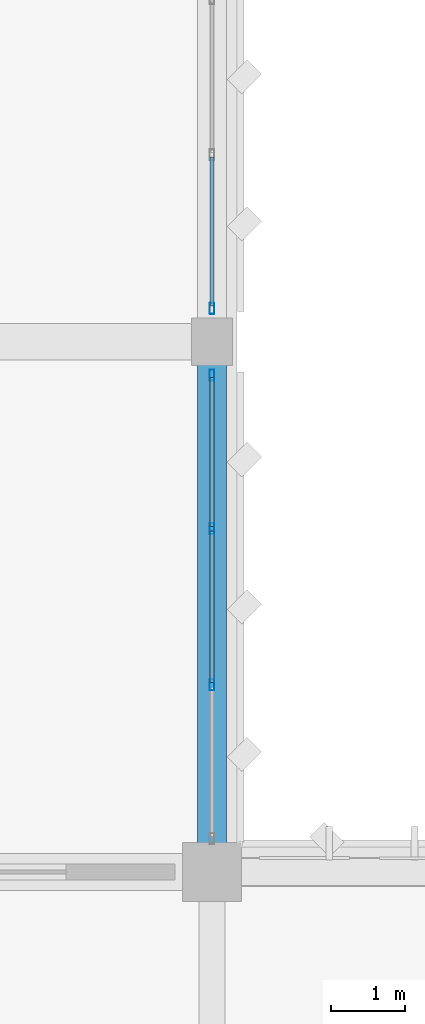
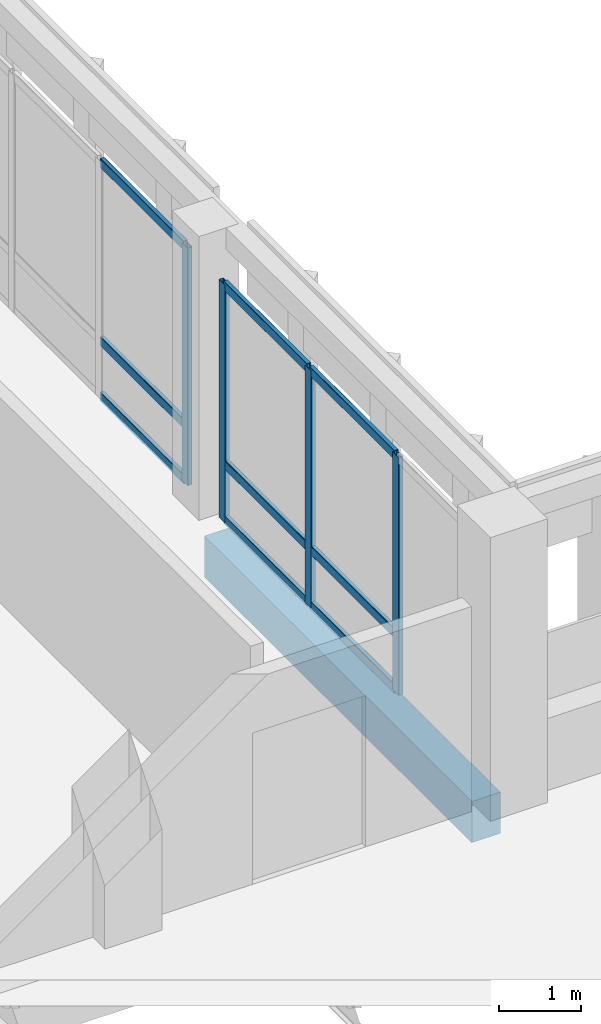
# One storey, part 13 of 158: 13 members, 1 beam, 2 elements without a shape of their own.
"""IFC4 building model written with IfcOpenShell, lengths in metres."""

from ifc_helpers import new_model, si_unit, direction, frame, origin, origin_2d, place, context, subcontext, project, spatial, rectangle, hollow_rectangle, extrude, material, material_profile, profile_set, type_object, element, aggregate, save


model = new_model("IFC4")

# Units and contexts
model_context = context("Model", 3, precision=1e-05, world=origin(), true_north=direction((0.0, 1.0)))
body_context = subcontext(model_context, "Body", "Model", "MODEL_VIEW")
ifc_project = project(units=[si_unit("LENGTHUNIT", "METRE"), si_unit("AREAUNIT", "SQUARE_METRE"), si_unit("VOLUMEUNIT", "CUBIC_METRE"), si_unit("PLANEANGLEUNIT", "RADIAN"), si_unit("MASSUNIT", "GRAM", prefix="KILO")], contexts=[model_context])

# Site, building, storey
site_placement = place(None, origin())
site = spatial("IfcSite", under=ifc_project, at=site_placement, CompositionType="ELEMENT")
building_placement = place(site_placement, origin())
building = spatial("IfcBuilding", under=site, at=building_placement, Name="Lusvemor Sports Hall", CompositionType="ELEMENT")
storey_placement = place(building_placement, frame((0.0, 0.0, 10.800048828125)))
storey = spatial("IfcBuildingStorey", under=building, at=storey_placement, Name="L02", CompositionType="ELEMENT", Elevation=10.800048828125)

# Curtain wall, members
ifc_material_1 = material(Name="Thermally broken bronze-anodized aluminium", Category="aluminium")
curtain_wall_type = type_object("IfcCurtainWallType", Name="CW_WING_B", PredefinedType="NOTDEFINED", material=ifc_material_1)
curtain_wall_1_placement = place(storey_placement, origin())
curtain_wall_1 = element("IfcCurtainWall", 1, at=curtain_wall_1_placement, inside=storey, type_object=curtain_wall_type, Name="Curtain Wall CW-L02-E-5-0", PredefinedType="NOTDEFINED")
ifc_material_2 = material(Name="Thermally broken bronze-anodized aluminium", Category="aluminium")
ifc_material_profile_1 = material_profile(ifc_material_2, hollow_rectangle(XDim=0.06494140625, YDim=0.14990234375, WallThickness=0.00390625, InnerFilletRadius=0.00390625, OuterFilletRadius=0.008056640625, at=origin_2d()), Name="CWMUL150x65x4")
ifc_profile_set_1 = profile_set([ifc_material_profile_1], Name="Thermally broken bronze-anodized aluminium")
member_type_1 = type_object("IfcMemberType", Name="CW_MUL_B", PredefinedType="MULLION", material=ifc_profile_set_1)
member_1_placement = place(storey_placement, frame((21.60009765625, 53.547607421875, 0.0), z_axis=(0.0, 0.0, 1.0), x_axis=(1.0, 0.0, 0.0)))
member_1 = element("IfcMember", 2, at=member_1_placement, type_object=member_type_1, Name="CW02 mullion 1", PredefinedType="MULLION", context=body_context, shape_type="SweptSolid", body=[
    extrude(hollow_rectangle(XDim=0.06494140625, YDim=0.14990234375, WallThickness=0.00390625, InnerFilletRadius=0.00390625, OuterFilletRadius=0.008056640625, at=origin_2d()), origin(), (0.0, 0.0, 1.0), 3.52001953125),
])
member_2_placement = place(storey_placement, frame((21.60009765625, 51.4599609375, 0.0), z_axis=(0.0, 0.0, 1.0), x_axis=(1.0, 0.0, 0.0)))
member_2 = element("IfcMember", 3, at=member_2_placement, type_object=member_type_1, Name="CW02 mullion 2", PredefinedType="MULLION", context=body_context, shape_type="SweptSolid", body=[
    extrude(hollow_rectangle(XDim=0.06494140625, YDim=0.14990234375, WallThickness=0.00390625, InnerFilletRadius=0.00390625, OuterFilletRadius=0.008056640625, at=origin_2d()), origin(), (0.0, 0.0, 1.0), 3.52001953125),
])
member_3_placement = place(storey_placement, frame((21.60009765625, 49.340087890625, 0.0), z_axis=(0.0, 0.0, 1.0), x_axis=(1.0, 0.0, 0.0)))
member_3 = element("IfcMember", 4, at=member_3_placement, type_object=member_type_1, Name="CW02 mullion 3", PredefinedType="MULLION", context=body_context, shape_type="SweptSolid", body=[
    extrude(hollow_rectangle(XDim=0.06494140625, YDim=0.14990234375, WallThickness=0.00390625, InnerFilletRadius=0.00390625, OuterFilletRadius=0.008056640625, at=origin_2d()), origin(), (0.0, 0.0, 1.0), 3.52001953125),
])

# Curtain wall, member
curtain_wall_2_placement = place(storey_placement, origin())
curtain_wall_2 = element("IfcCurtainWall", 5, at=curtain_wall_2_placement, inside=storey, type_object=curtain_wall_type, Name="Curtain Wall CW-L02-E-5-1", PredefinedType="NOTDEFINED")
member_4_placement = place(storey_placement, frame((21.60009765625, 54.452392578125, 0.0), z_axis=(0.0, 0.0, 1.0), x_axis=(1.0, 0.0, 0.0)))
member_4 = element("IfcMember", 6, at=member_4_placement, type_object=member_type_1, Name="CW02 mullion 4", PredefinedType="MULLION", context=body_context, shape_type="SweptSolid", body=[
    extrude(hollow_rectangle(XDim=0.06494140625, YDim=0.14990234375, WallThickness=0.00390625, InnerFilletRadius=0.00390625, OuterFilletRadius=0.008056640625, at=origin_2d()), origin(), (0.0, 0.0, 1.0), 3.52001953125),
])

# Member
ifc_material_3 = material(Name="Thermally broken bronze-anodized aluminium", Category="aluminium")
ifc_material_profile_2 = material_profile(ifc_material_3, hollow_rectangle(XDim=0.06005859375, YDim=0.135009765625, WallThickness=0.00390625, InnerFilletRadius=0.00390625, OuterFilletRadius=0.008056640625, at=origin_2d()), Name="CWTRN135x60x4")
ifc_profile_set_2 = profile_set([ifc_material_profile_2], Name="Thermally broken bronze-anodized aluminium")
member_type_2 = type_object("IfcMemberType", Name="CW_TRN_B", PredefinedType="USERDEFINED", material=ifc_profile_set_2)
member_5_placement = place(storey_placement, frame((21.60009765625, 53.514892578125, 0.030029296875), z_axis=(0.0, -1.0, 0.0), x_axis=(1.0, 0.0, 0.0)))
member_5 = element("IfcMember", 7, at=member_5_placement, type_object=member_type_2, Name="CW02 transom 1.1", ObjectType="TRANSOM", PredefinedType="USERDEFINED", context=body_context, shape_type="SweptSolid", body=[
    extrude(hollow_rectangle(XDim=0.06005859375, YDim=0.135009765625, WallThickness=0.00390625, InnerFilletRadius=0.00390625, OuterFilletRadius=0.008056640625, at=origin_2d()), origin(), (0.0, 0.0, 1.0), 2.0224609375),
])

member_6_placement = place(storey_placement, frame((21.60009765625, 53.514892578125, 0.849853515625), z_axis=(0.0, -1.0, 0.0), x_axis=(1.0, 0.0, 0.0)))
member_6 = element("IfcMember", 8, at=member_6_placement, type_object=member_type_2, Name="CW02 transom 1.2", ObjectType="TRANSOM", PredefinedType="USERDEFINED", context=body_context, shape_type="SweptSolid", body=[
    extrude(hollow_rectangle(XDim=0.06005859375, YDim=0.135009765625, WallThickness=0.00390625, InnerFilletRadius=0.00390625, OuterFilletRadius=0.008056640625, at=origin_2d()), origin(), (0.0, 0.0, 1.0), 2.0224609375),
])

member_7_placement = place(storey_placement, frame((21.60009765625, 53.514892578125, 3.489990234375), z_axis=(0.0, -1.0, 0.0), x_axis=(1.0, 0.0, 0.0)))
member_7 = element("IfcMember", 9, at=member_7_placement, type_object=member_type_2, Name="CW02 transom 1.3", ObjectType="TRANSOM", PredefinedType="USERDEFINED", context=body_context, shape_type="SweptSolid", body=[
    extrude(hollow_rectangle(XDim=0.06005859375, YDim=0.135009765625, WallThickness=0.00390625, InnerFilletRadius=0.00390625, OuterFilletRadius=0.008056640625, at=origin_2d()), origin(), (0.0, 0.0, 1.0), 2.0224609375),
])

member_8_placement = place(storey_placement, frame((21.60009765625, 51.427490234375, 0.030029296875), z_axis=(0.0, -1.0, 0.0), x_axis=(1.0, 0.0, 0.0)))
member_8 = element("IfcMember", 10, at=member_8_placement, type_object=member_type_2, Name="CW02 transom 2.1", ObjectType="TRANSOM", PredefinedType="USERDEFINED", context=body_context, shape_type="SweptSolid", body=[
    extrude(hollow_rectangle(XDim=0.06005859375, YDim=0.135009765625, WallThickness=0.00390625, InnerFilletRadius=0.00390625, OuterFilletRadius=0.008056640625, at=origin_2d()), origin(), (0.0, 0.0, 1.0), 2.054931640625),
])

member_9_placement = place(storey_placement, frame((21.60009765625, 51.427490234375, 0.849853515625), z_axis=(0.0, -1.0, 0.0), x_axis=(1.0, 0.0, 0.0)))
member_9 = element("IfcMember", 11, at=member_9_placement, type_object=member_type_2, Name="CW02 transom 2.2", ObjectType="TRANSOM", PredefinedType="USERDEFINED", context=body_context, shape_type="SweptSolid", body=[
    extrude(hollow_rectangle(XDim=0.06005859375, YDim=0.135009765625, WallThickness=0.00390625, InnerFilletRadius=0.00390625, OuterFilletRadius=0.008056640625, at=origin_2d()), origin(), (0.0, 0.0, 1.0), 2.054931640625),
])

member_10_placement = place(storey_placement, frame((21.60009765625, 51.427490234375, 3.489990234375), z_axis=(0.0, -1.0, 0.0), x_axis=(1.0, 0.0, 0.0)))
member_10 = element("IfcMember", 12, at=member_10_placement, type_object=member_type_2, Name="CW02 transom 2.3", ObjectType="TRANSOM", PredefinedType="USERDEFINED", context=body_context, shape_type="SweptSolid", body=[
    extrude(hollow_rectangle(XDim=0.06005859375, YDim=0.135009765625, WallThickness=0.00390625, InnerFilletRadius=0.00390625, OuterFilletRadius=0.008056640625, at=origin_2d()), origin(), (0.0, 0.0, 1.0), 2.054931640625),
])

aggregate(curtain_wall_1, [member_1, member_2, member_3, member_5, member_6, member_7, member_8, member_9, member_10])

member_11_placement = place(storey_placement, frame((21.60009765625, 56.507568359375, 0.030029296875), z_axis=(0.0, -1.0, 0.0), x_axis=(1.0, 0.0, 0.0)))
member_11 = element("IfcMember", 13, at=member_11_placement, type_object=member_type_2, Name="CW02 transom 3.1", ObjectType="TRANSOM", PredefinedType="USERDEFINED", context=body_context, shape_type="SweptSolid", body=[
    extrude(hollow_rectangle(XDim=0.06005859375, YDim=0.135009765625, WallThickness=0.00390625, InnerFilletRadius=0.00390625, OuterFilletRadius=0.008056640625, at=origin_2d()), origin(), (0.0, 0.0, 1.0), 2.0224609375),
])

member_12_placement = place(storey_placement, frame((21.60009765625, 56.507568359375, 0.849853515625), z_axis=(0.0, -1.0, 0.0), x_axis=(1.0, 0.0, 0.0)))
member_12 = element("IfcMember", 14, at=member_12_placement, type_object=member_type_2, Name="CW02 transom 3.2", ObjectType="TRANSOM", PredefinedType="USERDEFINED", context=body_context, shape_type="SweptSolid", body=[
    extrude(hollow_rectangle(XDim=0.06005859375, YDim=0.135009765625, WallThickness=0.00390625, InnerFilletRadius=0.00390625, OuterFilletRadius=0.008056640625, at=origin_2d()), origin(), (0.0, 0.0, 1.0), 2.0224609375),
])

member_13_placement = place(storey_placement, frame((21.60009765625, 56.507568359375, 3.489990234375), z_axis=(0.0, -1.0, 0.0), x_axis=(1.0, 0.0, 0.0)))
member_13 = element("IfcMember", 15, at=member_13_placement, type_object=member_type_2, Name="CW02 transom 3.3", ObjectType="TRANSOM", PredefinedType="USERDEFINED", context=body_context, shape_type="SweptSolid", body=[
    extrude(hollow_rectangle(XDim=0.06005859375, YDim=0.135009765625, WallThickness=0.00390625, InnerFilletRadius=0.00390625, OuterFilletRadius=0.008056640625, at=origin_2d()), origin(), (0.0, 0.0, 1.0), 2.0224609375),
])

aggregate(curtain_wall_2, [member_4, member_11, member_12, member_13])

# Beam
ifc_material_4 = material(Name="Concrete C40/50", Category="concrete")
ifc_material_profile_3 = material_profile(ifc_material_4, rectangle(XDim=0.39990234375, YDim=0.610107421875, at=origin_2d()), Name="RC400x610")
ifc_profile_set_3 = profile_set([ifc_material_profile_3], Name="Concrete C40/50")
beam_type = type_object("IfcBeamType", Name="SPAND_EXT_650", PredefinedType="SPANDREL", material=ifc_profile_set_3)
beam_placement = place(storey_placement, frame((21.60009765625, 47.196044921875, -0.56494140625), z_axis=(0.0, 1.0, 0.0), x_axis=(-1.0, 0.0, 0.0)))
element("IfcBeam", 16, at=beam_placement, inside=storey, type_object=beam_type, Name="Beam L02 3:F-G", PredefinedType="SPANDREL", context=body_context, shape_type="SweptSolid", body=[
    extrude(rectangle(XDim=0.39990234375, YDim=0.610107421875, at=origin_2d()), origin(), (0.0, 0.0, 1.0), 6.488037109375),
])

save(model, "model.ifc")
